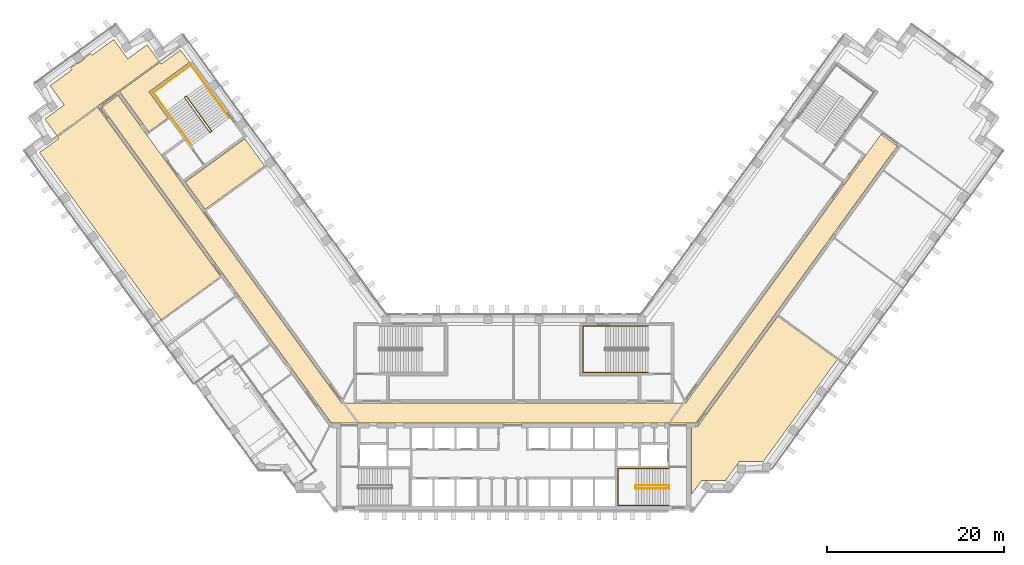
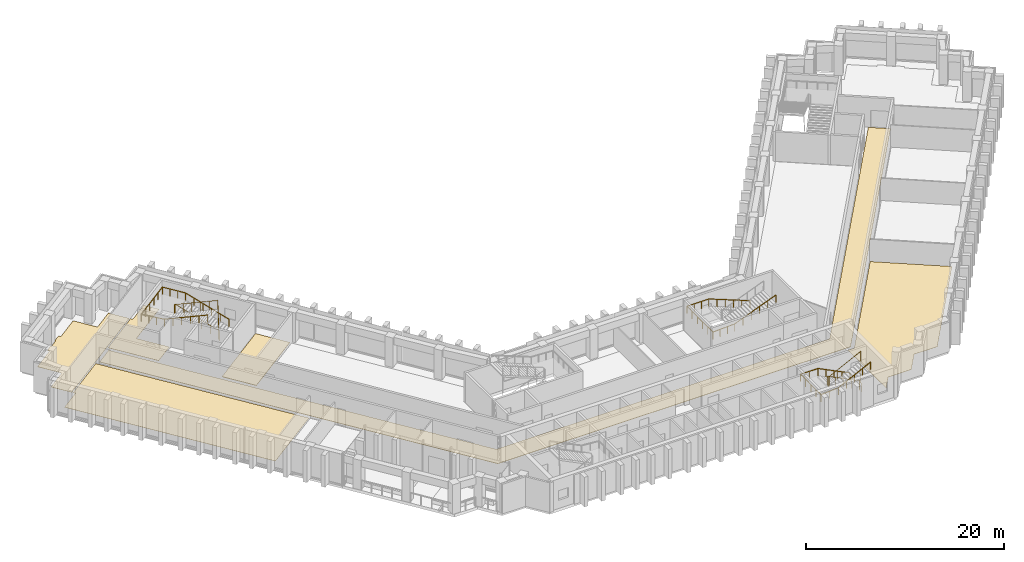
# One storey, part 15 of 16: 6 coverings, 5 railings.
"""IFC4 building model written with IfcOpenShell, lengths in metres."""

from ifc_helpers import new_model, si_unit, direction, frame, origin, origin_2d, place, context, subcontext, project, spatial, polyline, circle, outline, extrude, material, layer, layer_set, type_object, element, save


model = new_model("IFC4")

# Units and contexts
model_context = context("Model", 3, precision=1e-05, world=origin(), true_north=direction((0.0, 1.0)))
body_context = subcontext(model_context, "Body", "Model", "MODEL_VIEW")
ifc_project = project(units=[si_unit("LENGTHUNIT", "METRE"), si_unit("AREAUNIT", "SQUARE_METRE"), si_unit("VOLUMEUNIT", "CUBIC_METRE"), si_unit("PLANEANGLEUNIT", "RADIAN"), si_unit("MASSUNIT", "GRAM", prefix="KILO")], contexts=[model_context])

# Site, building, storey
site_placement = place(None, origin())
site = spatial("IfcSite", under=ifc_project, at=site_placement, CompositionType="ELEMENT")
building_placement = place(site_placement, origin())
building = spatial("IfcBuilding", under=site, at=building_placement, Name="Quipu Civic Tower", CompositionType="ELEMENT")
storey_placement = place(building_placement, frame((0.0, 0.0, 63.0)))
storey = spatial("IfcBuildingStorey", under=building, at=storey_placement, Name="L14", CompositionType="ELEMENT", Elevation=63.0)

# Coverings
ifc_material_1 = material(Name="Carpet tile on raised access floor")
ifc_layer_1 = layer(ifc_material_1, 0.02001953125)
ifc_layer_set_1 = layer_set([ifc_layer_1], Name="Carpet tile on raised access floor")
covering_type_1 = type_object("IfcCoveringType", Name="Carpet tile floor finish 20", PredefinedType="FLOORING", material=ifc_layer_set_1)
covering_1_placement = place(storey_placement, origin())
element("IfcCovering", 1, at=covering_1_placement, inside=storey, type_object=covering_type_1, Name="Carpet tile floor finish 20", PredefinedType="FLOORING", context=body_context, shape_type="SweptSolid", body=[
    extrude(outline(polyline([(-52.883056640625, 33.12890625), (-50.698974609375, 34.717041015625), (-52.284912109375, 36.90087890625), (-49.826904296875, 38.68603515625), (-49.97900390625, 38.89697265625), (-49.259033203125, 39.4208984375), (-49.236083984375, 39.388916015625), (-49.23291015625, 39.385009765625), (-49.22900390625, 39.382080078125), (-49.22607421875, 39.3779296875), (-49.220947265625, 39.3759765625), (-49.217041015625, 39.373046875), (-49.212890625, 39.37109375), (-49.2080078125, 39.3701171875), (-49.202880859375, 39.368896484375), (-49.197998046875, 39.367919921875), (-49.193115234375, 39.367919921875), (-49.18896484375, 39.368896484375), (-49.18408203125, 39.3701171875), (-49.178955078125, 39.37109375), (-49.174072265625, 39.373046875), (-49.169921875, 39.375), (-49.166015625, 39.3779296875), (-48.43798828125, 39.906982421875), (-48.43408203125, 39.909912109375), (-48.430908203125, 39.9130859375), (-48.427001953125, 39.9169921875), (-48.425048828125, 39.9208984375), (-48.422119140625, 39.926025390625), (-48.419921875, 39.929931640625), (-48.4189453125, 39.93505859375), (-48.41796875, 39.93994140625), (-48.4169921875, 39.944091796875), (-48.4169921875, 39.948974609375), (-48.41796875, 39.9541015625), (-48.4189453125, 39.958984375), (-48.419921875, 39.964111328125), (-48.422119140625, 39.968017578125), (-48.424072265625, 39.972900390625), (-48.427001953125, 39.97705078125), (-48.449951171875, 40.008056640625), (-47.72900390625, 40.531982421875), (-47.574951171875, 40.322021484375), (-45.116943359375, 42.10791015625), (-43.531982421875, 39.925048828125), (-41.346923828125, 41.510986328125), (-39.989013671875, 39.64208984375), (-51.52587890625, 31.260009765625), (-52.883056640625, 33.12890625)])), origin(), (0.0, 0.0, 1.0), 0.02001953125),
])
covering_2_placement = place(storey_placement, origin())
element("IfcCovering", 2, at=covering_2_placement, inside=storey, type_object=covering_type_1, Name="Carpet tile floor finish 20", PredefinedType="FLOORING", context=body_context, shape_type="SweptSolid", body=[
    extrude(outline(polyline([(-44.445068359375, 36.23193359375), (-39.906005859375, 39.530029296875), (-39.757080078125, 39.327880859375), (-37.573974609375, 40.9130859375), (-36.570068359375, 39.530029296875), (-41.139892578125, 36.208984375), (-38.998046875, 33.260009765625), (-41.15087890625, 31.697021484375), (-44.445068359375, 36.23193359375)])), origin(), (0.0, 0.0, 1.0), 0.02001953125),
])
covering_3_placement = place(storey_placement, origin())
element("IfcCovering", 3, at=covering_3_placement, inside=storey, type_object=covering_type_1, Name="Carpet tile floor finish 20", PredefinedType="FLOORING", context=body_context, shape_type="SweptSolid", body=[
    extrude(outline(polyline([(20.070068359375, -9.195068359375), (20.070068359375, -1.52001953125), (20.77490234375, -1.51904296875), (29.7958984375, 10.89794921875), (36.52001953125, 6.013916015625), (28.181884765625, -5.4609375), (25.48193359375, -5.4619140625), (25.2080078125, -5.840087890625), (25.205078125, -5.841064453125), (25.200927734375, -5.843017578125), (25.197021484375, -5.844970703125), (25.193115234375, -5.847900390625), (25.18896484375, -5.85205078125), (25.18603515625, -5.85498046875), (25.18310546875, -5.85888671875), (25.179931640625, -5.863037109375), (25.177978515625, -5.867919921875), (25.177001953125, -5.8720703125), (25.175048828125, -5.876953125), (25.175048828125, -5.882080078125), (25.174072265625, -5.885986328125), (23.89501953125, -7.64599609375), (21.721923828125, -7.64599609375), (21.721923828125, -7.64599609375), (21.718017578125, -7.64306640625), (21.712890625, -7.64111328125), (21.708984375, -7.638916015625), (21.7041015625, -7.637939453125), (21.698974609375, -7.636962890625), (21.694091796875, -7.635986328125), (21.68896484375, -7.636962890625), (21.68408203125, -7.636962890625), (21.679931640625, -7.637939453125), (21.675048828125, -7.639892578125), (21.669921875, -7.64111328125), (21.666015625, -7.64404296875), (21.6630859375, -7.64599609375), (21.196044921875, -7.64599609375), (20.070068359375, -9.195068359375)])), origin(), (0.0, 0.0, 1.0), 0.02001953125),
])
covering_4_placement = place(storey_placement, origin())
element("IfcCovering", 4, at=covering_4_placement, inside=storey, type_object=covering_type_1, Name="Carpet tile floor finish 20", PredefinedType="FLOORING", context=body_context, shape_type="SweptSolid", body=[
    extrude(outline(polyline([(-53.47998046875, 29.35791015625), (-51.298095703125, 30.943115234375), (-51.443115234375, 31.14599609375), (-46.904052734375, 34.444091796875), (-33.052978515625, 15.3798828125), (-39.777099609375, 10.49609375), (-53.47998046875, 29.35791015625)])), origin(), (0.0, 0.0, 1.0), 0.02001953125),
])
ifc_material_2 = material(Name="Sealed cement screed")
ifc_layer_2 = layer(ifc_material_2, 0.050048828125)
ifc_layer_set_2 = layer_set([ifc_layer_2], Name="Sealed cement screed")
covering_type_2 = type_object("IfcCoveringType", Name="Sealed screed floor finish 50", PredefinedType="FLOORING", material=ifc_layer_set_2)
covering_5_placement = place(storey_placement, origin())
element("IfcCovering", 5, at=covering_5_placement, inside=storey, type_object=covering_type_2, Name="Sealed screed floor finish 50", PredefinedType="FLOORING", context=body_context, shape_type="SweptSolid", body=[
    extrude(outline(polyline([(-37.0380859375, 26.0380859375), (-30.31494140625, 30.922119140625), (-28.0791015625, 27.843017578125), (-34.802001953125, 22.958984375), (-37.0380859375, 26.0380859375)])), origin(), (0.0, 0.0, 1.0), 0.050048828125),
])

# Railings
ifc_material_3 = material(Name="Stainless steel", Category="steel")
railing_type_1 = type_object("IfcRailingType", Name="Stair guard 1100", PredefinedType="GUARDRAIL", material=ifc_material_3)
railing_1_placement = place(storey_placement, frame((17.5, -8.199951171875, 0.15380859375)))
element("IfcRailing", 6, at=railing_1_placement, inside=storey, type_object=railing_type_1, Name="Stair 2 guard", PredefinedType="GUARDRAIL", context=body_context, shape_type="SweptSolid", body=[
    extrude(circle(Radius=0.02392578125, at=origin_2d()), frame((0.0, 0.0, 1.076171875), z_axis=(-0.895751851347, 0.0, 0.444554407028), x_axis=(0.0, -1.0, 0.0)), (0.0, 0.0, 1.0), 4.15283203125),
    extrude(circle(Radius=0.02392578125, at=origin_2d()), frame((-3.719970703125, 0.0, 2.92236328125), z_axis=(-0.707106781187, -0.707106781187, 0.0), x_axis=(0.707106781187, -0.707106781187, 0.0)), (0.0, 0.0, 1.0), 0.07080078125),
    extrude(circle(Radius=0.02392578125, at=origin_2d()), frame((-3.77001953125, -0.050048828125, 2.92236328125), z_axis=(0.0, -1.0, 0.0), x_axis=(1.0, 0.0, 0.0)), (0.0, 0.0, 1.0), 0.25),
    extrude(circle(Radius=0.02392578125, at=origin_2d()), frame((-3.77001953125, -0.300048828125, 2.92236328125), z_axis=(0.295599637079, -0.295599637079, 0.908428152975), x_axis=(0.707106781187, 0.707106781187, 0.0)), (0.0, 0.0, 1.0), 0.16943359375),
    extrude(circle(Radius=0.02392578125, at=origin_2d()), frame((-3.719970703125, -0.35009765625, 3.076171875), z_axis=(0.895751851347, 0.0, 0.444554407028), x_axis=(0.0, 1.0, 0.0)), (0.0, 0.0, 1.0), 4.15283203125),
    extrude(circle(Radius=0.02392578125, at=origin_2d()), frame((0.0, -0.35009765625, 4.92236328125), z_axis=(0.012476181752, 0.074796231092, -0.997120789425), x_axis=(-0.986372223864, 0.164529134168, 0.0)), (0.0, 0.0, 1.0), 4.011474609375),
    extrude(circle(Radius=0.02392578125, at=origin_2d()), frame((0.050048828125, -0.050048828125, 0.92236328125), z_axis=(0.0, -1.0, 0.0), x_axis=(1.0, 0.0, 0.0)), (0.0, 0.0, 1.0), 0.25),
    extrude(circle(Radius=0.02099609375, at=origin_2d()), origin(), (0.0, 0.0, 1.0), 1.052001953125),
    extrude(circle(Radius=0.02099609375, at=origin_2d()), frame((-0.929931640625, 0.0, 0.46142578125)), (0.0, 0.0, 1.0), 1.052001953125),
    extrude(circle(Radius=0.02099609375, at=origin_2d()), frame((-1.85986328125, 0.0, 0.923095703125)), (0.0, 0.0, 1.0), 1.052001953125),
    extrude(circle(Radius=0.02099609375, at=origin_2d()), frame((-2.7900390625, 0.0, 1.384765625)), (0.0, 0.0, 1.0), 1.052001953125),
    extrude(circle(Radius=0.02099609375, at=origin_2d()), frame((-3.719970703125, 0.0, 1.84619140625)), (0.0, 0.0, 1.0), 1.052001953125),
    extrude(circle(Radius=0.02099609375, at=origin_2d()), frame((-3.77001953125, -0.050048828125, 1.84619140625)), (0.0, 0.0, 1.0), 1.052001953125),
    extrude(circle(Radius=0.02099609375, at=origin_2d()), frame((-3.77001953125, -0.300048828125, 1.84619140625)), (0.0, 0.0, 1.0), 1.052001953125),
    extrude(circle(Radius=0.02099609375, at=origin_2d()), frame((-3.719970703125, -0.35009765625, 2.0)), (0.0, 0.0, 1.0), 1.052001953125),
    extrude(circle(Radius=0.02099609375, at=origin_2d()), frame((-2.7900390625, -0.35009765625, 2.46142578125)), (0.0, 0.0, 1.0), 1.052001953125),
    extrude(circle(Radius=0.02099609375, at=origin_2d()), frame((-1.85986328125, -0.35009765625, 2.923095703125)), (0.0, 0.0, 1.0), 1.052001953125),
    extrude(circle(Radius=0.02099609375, at=origin_2d()), frame((-0.929931640625, -0.35009765625, 3.384765625)), (0.0, 0.0, 1.0), 1.052001953125),
    extrude(circle(Radius=0.02099609375, at=origin_2d()), frame((0.0, -0.35009765625, 3.84619140625)), (0.0, 0.0, 1.0), 1.052001953125),
    extrude(circle(Radius=0.02099609375, at=origin_2d()), frame((0.012451171875, -0.275146484375, 2.84619140625)), (0.0, 0.0, 1.0), 1.052001953125),
    extrude(circle(Radius=0.02099609375, at=origin_2d()), frame((0.02490234375, -0.2001953125, 1.84619140625)), (0.0, 0.0, 1.0), 1.052001953125),
    extrude(circle(Radius=0.02099609375, at=origin_2d()), frame((0.03759765625, -0.125, 0.84619140625)), (0.0, 0.0, 1.0), 1.052001953125),
    extrude(circle(Radius=0.02099609375, at=origin_2d()), frame((0.050048828125, -0.050048828125, -0.15380859375)), (0.0, 0.0, 1.0), 1.052001953125),
    extrude(circle(Radius=0.02099609375, at=origin_2d()), frame((0.050048828125, -0.300048828125, -0.15380859375)), (0.0, 0.0, 1.0), 1.052001953125),
])
railing_2_placement = place(storey_placement, frame((-34.078857421875, 31.79736328125, 0.11767578125)))
element("IfcRailing", 7, at=railing_2_placement, inside=storey, type_object=railing_type_1, Name="Stair 6 guard", PredefinedType="GUARDRAIL", context=body_context, shape_type="SweptSolid", body=[
    extrude(circle(Radius=0.02392578125, at=origin_2d()), frame((0.0, 0.0, 1.076171875), z_axis=(-0.54720100349, 0.753182689643, 0.365084781664), x_axis=(-0.809026317077, -0.587772420479, 0.0)), (0.0, 0.0, 1.0), 5.15576171875),
    extrude(circle(Radius=0.02392578125, at=origin_2d()), frame((-2.8212890625, 3.88330078125, 2.95849609375), z_axis=(-0.987846838465, 0.155430446612, 0.0), x_axis=(-0.155430446612, -0.987846838465, 0.0)), (0.0, 0.0, 1.0), 0.07080078125),
    extrude(circle(Radius=0.02392578125, at=origin_2d()), frame((-2.89111328125, 3.894287109375, 2.95849609375), z_axis=(-0.809649071907, -0.586914287065, 0.0), x_axis=(0.586914287065, -0.809649071907, 0.0)), (0.0, 0.0, 1.0), 0.150146484375),
    extrude(circle(Radius=0.02392578125, at=origin_2d()), frame((-3.0126953125, 3.80615234375, 2.95849609375), z_axis=(-0.080033047627, -0.508654480474, 0.857242865693), x_axis=(0.987846838465, -0.155430446612, 0.0)), (0.0, 0.0, 1.0), 0.13720703125),
    extrude(circle(Radius=0.02392578125, at=origin_2d()), frame((-3.023681640625, 3.736328125, 3.076171875), z_axis=(0.54720100349, -0.753182689643, 0.365084781664), x_axis=(0.809026317077, 0.587772420479, 0.0)), (0.0, 0.0, 1.0), 5.15576171875),
    extrude(circle(Radius=0.02392578125, at=origin_2d()), frame((-0.202392578125, -0.14697265625, 4.95849609375), z_axis=(0.047788004556, 0.019261491632, -0.998671768681), x_axis=(-0.373837031195, 0.92749440651, 0.0)), (0.0, 0.0, 1.0), 4.00537109375),
    extrude(circle(Radius=0.02392578125, at=origin_2d()), frame((-0.010986328125, -0.06982421875, 0.95849609375), z_axis=(-0.809087927272, -0.587687609145, 0.0), x_axis=(0.587687609145, -0.809087927272, 0.0)), (0.0, 0.0, 1.0), 0.14990234375),
    extrude(circle(Radius=0.02099609375, at=origin_2d()), origin(), (0.0, 0.0, 1.0), 1.052001953125),
    extrude(circle(Radius=0.02099609375, at=origin_2d()), frame((-0.564208984375, 0.776611328125, 0.37646484375)), (0.0, 0.0, 1.0), 1.052001953125),
    extrude(circle(Radius=0.02099609375, at=origin_2d()), frame((-1.12841796875, 1.55322265625, 0.7529296875)), (0.0, 0.0, 1.0), 1.052001953125),
    extrude(circle(Radius=0.02099609375, at=origin_2d()), frame((-1.69287109375, 2.330078125, 1.12939453125)), (0.0, 0.0, 1.0), 1.052001953125),
    extrude(circle(Radius=0.02099609375, at=origin_2d()), frame((-2.257080078125, 3.106689453125, 1.505859375)), (0.0, 0.0, 1.0), 1.052001953125),
    extrude(circle(Radius=0.02099609375, at=origin_2d()), frame((-2.8212890625, 3.88330078125, 1.88232421875)), (0.0, 0.0, 1.0), 1.052001953125),
    extrude(circle(Radius=0.02099609375, at=origin_2d()), frame((-2.89111328125, 3.894287109375, 1.88232421875)), (0.0, 0.0, 1.0), 1.052001953125),
    extrude(circle(Radius=0.02099609375, at=origin_2d()), frame((-3.0126953125, 3.80615234375, 1.88232421875)), (0.0, 0.0, 1.0), 1.052001953125),
    extrude(circle(Radius=0.02099609375, at=origin_2d()), frame((-3.023681640625, 3.736328125, 2.0)), (0.0, 0.0, 1.0), 1.052001953125),
    extrude(circle(Radius=0.02099609375, at=origin_2d()), frame((-2.45947265625, 2.959716796875, 2.37646484375)), (0.0, 0.0, 1.0), 1.052001953125),
    extrude(circle(Radius=0.02099609375, at=origin_2d()), frame((-1.895263671875, 2.18310546875, 2.7529296875)), (0.0, 0.0, 1.0), 1.052001953125),
    extrude(circle(Radius=0.02099609375, at=origin_2d()), frame((-1.330810546875, 1.40625, 3.12939453125)), (0.0, 0.0, 1.0), 1.052001953125),
    extrude(circle(Radius=0.02099609375, at=origin_2d()), frame((-0.7666015625, 0.629638671875, 3.505859375)), (0.0, 0.0, 1.0), 1.052001953125),
    extrude(circle(Radius=0.02099609375, at=origin_2d()), frame((-0.202392578125, -0.14697265625, 3.88232421875)), (0.0, 0.0, 1.0), 1.052001953125),
    extrude(circle(Radius=0.02099609375, at=origin_2d()), frame((-0.154541015625, -0.127685546875, 2.88232421875)), (0.0, 0.0, 1.0), 1.052001953125),
    extrude(circle(Radius=0.02099609375, at=origin_2d()), frame((-0.106689453125, -0.1083984375, 1.88232421875)), (0.0, 0.0, 1.0), 1.052001953125),
    extrude(circle(Radius=0.02099609375, at=origin_2d()), frame((-0.058837890625, -0.089111328125, 0.88232421875)), (0.0, 0.0, 1.0), 1.052001953125),
    extrude(circle(Radius=0.02099609375, at=origin_2d()), frame((-0.010986328125, -0.06982421875, -0.11767578125)), (0.0, 0.0, 1.0), 1.052001953125),
    extrude(circle(Radius=0.02099609375, at=origin_2d()), frame((-0.13232421875, -0.157958984375, -0.11767578125)), (0.0, 0.0, 1.0), 1.052001953125),
])
ifc_material_4 = material(Name="Stainless steel", Category="steel")
railing_type_2 = type_object("IfcRailingType", Name="Stair handrail", PredefinedType="HANDRAIL", material=ifc_material_4)
railing_3_placement = place(storey_placement, frame((17.5, -6.300048828125, 0.15380859375)))
element("IfcRailing", 8, at=railing_3_placement, inside=storey, type_object=railing_type_2, Name="Stair 2 handrail", PredefinedType="HANDRAIL", context=body_context, shape_type="SweptSolid", body=[
    extrude(circle(Radius=0.02392578125, at=origin_2d()), frame((0.0, 0.0, 0.8759765625), z_axis=(-0.895751851347, 0.0, 0.444554407028), x_axis=(0.0, -1.0, 0.0)), (0.0, 0.0, 1.0), 4.15283203125),
    extrude(circle(Radius=0.02392578125, at=origin_2d()), frame((-3.719970703125, 0.0, 2.72216796875), z_axis=(-1.0, 0.0, 0.0), x_axis=(0.0, -1.0, 0.0)), (0.0, 0.0, 1.0), 2.030029296875),
    extrude(circle(Radius=0.02392578125, at=origin_2d()), frame((-5.75, 0.0, 2.72216796875), z_axis=(0.0, -1.0, 0.0), x_axis=(1.0, 0.0, 0.0)), (0.0, 0.0, 1.0), 4.14990234375),
    extrude(circle(Radius=0.02392578125, at=origin_2d()), frame((-5.75, -4.14990234375, 2.72216796875), z_axis=(0.997142003663, 0.0, 0.075550145798), x_axis=(0.0, 1.0, 0.0)), (0.0, 0.0, 1.0), 2.035888671875),
    extrude(circle(Radius=0.02392578125, at=origin_2d()), frame((-3.719970703125, -4.14990234375, 2.8759765625), z_axis=(0.895751851347, 0.0, 0.444554407028), x_axis=(0.0, 1.0, 0.0)), (0.0, 0.0, 1.0), 4.15283203125),
    extrude(circle(Radius=0.02099609375, at=origin_2d()), origin(), (0.0, 0.0, 1.0), 0.851806640625),
    extrude(circle(Radius=0.02099609375, at=origin_2d()), frame((-0.929931640625, 0.0, 0.46142578125)), (0.0, 0.0, 1.0), 0.851806640625),
    extrude(circle(Radius=0.02099609375, at=origin_2d()), frame((-1.85986328125, 0.0, 0.923095703125)), (0.0, 0.0, 1.0), 0.851806640625),
    extrude(circle(Radius=0.02099609375, at=origin_2d()), frame((-2.7900390625, 0.0, 1.384765625)), (0.0, 0.0, 1.0), 0.851806640625),
    extrude(circle(Radius=0.02099609375, at=origin_2d()), frame((-3.719970703125, 0.0, 1.84619140625)), (0.0, 0.0, 1.0), 0.851806640625),
    extrude(circle(Radius=0.02099609375, at=origin_2d()), frame((-4.73486328125, 0.0, 1.84619140625)), (0.0, 0.0, 1.0), 0.851806640625),
    extrude(circle(Radius=0.02099609375, at=origin_2d()), frame((-5.75, 0.0, 1.84619140625)), (0.0, 0.0, 1.0), 0.851806640625),
    extrude(circle(Radius=0.02099609375, at=origin_2d()), frame((-5.75, -1.03759765625, 1.84619140625)), (0.0, 0.0, 1.0), 0.851806640625),
    extrude(circle(Radius=0.02099609375, at=origin_2d()), frame((-5.75, -2.074951171875, 1.84619140625)), (0.0, 0.0, 1.0), 0.851806640625),
    extrude(circle(Radius=0.02099609375, at=origin_2d()), frame((-5.75, -3.1123046875, 1.84619140625)), (0.0, 0.0, 1.0), 0.851806640625),
    extrude(circle(Radius=0.02099609375, at=origin_2d()), frame((-5.75, -4.14990234375, 1.84619140625)), (0.0, 0.0, 1.0), 0.851806640625),
    extrude(circle(Radius=0.02099609375, at=origin_2d()), frame((-4.73486328125, -4.14990234375, 1.923095703125)), (0.0, 0.0, 1.0), 0.851806640625),
    extrude(circle(Radius=0.02099609375, at=origin_2d()), frame((-3.719970703125, -4.14990234375, 2.0)), (0.0, 0.0, 1.0), 0.851806640625),
    extrude(circle(Radius=0.02099609375, at=origin_2d()), frame((-2.7900390625, -4.14990234375, 2.46142578125)), (0.0, 0.0, 1.0), 0.851806640625),
    extrude(circle(Radius=0.02099609375, at=origin_2d()), frame((-1.85986328125, -4.14990234375, 2.923095703125)), (0.0, 0.0, 1.0), 0.851806640625),
    extrude(circle(Radius=0.02099609375, at=origin_2d()), frame((-0.929931640625, -4.14990234375, 3.384765625)), (0.0, 0.0, 1.0), 0.851806640625),
    extrude(circle(Radius=0.02099609375, at=origin_2d()), frame((0.0, -4.14990234375, 3.84619140625)), (0.0, 0.0, 1.0), 0.851806640625),
])
railing_4_placement = place(storey_placement, frame((15.14990234375, 9.800048828125, 0.11767578125)))
element("IfcRailing", 9, at=railing_4_placement, inside=storey, type_object=railing_type_2, Name="Stair 4 handrail", PredefinedType="HANDRAIL", context=body_context, shape_type="SweptSolid", body=[
    extrude(circle(Radius=0.02392578125, at=origin_2d()), frame((0.0, 0.0, 0.8759765625), z_axis=(-0.930970042603, 0.0, 0.365095576219), x_axis=(0.0, -1.0, 0.0)), (0.0, 0.0, 1.0), 5.15576171875),
    extrude(circle(Radius=0.02392578125, at=origin_2d()), frame((-4.7998046875, 0.0, 2.75830078125), z_axis=(-1.0, 0.0, 0.0), x_axis=(0.0, -1.0, 0.0)), (0.0, 0.0, 1.0), 2.550048828125),
    extrude(circle(Radius=0.02392578125, at=origin_2d()), frame((-7.349853515625, 0.0, 2.75830078125), z_axis=(0.0, -1.0, 0.0), x_axis=(1.0, 0.0, 0.0)), (0.0, 0.0, 1.0), 5.25),
    extrude(circle(Radius=0.02392578125, at=origin_2d()), frame((-7.349853515625, -5.25, 2.75830078125), z_axis=(0.998936948642, 0.0, 0.04609742549), x_axis=(0.0, 1.0, 0.0)), (0.0, 0.0, 1.0), 2.552734375),
    extrude(circle(Radius=0.02392578125, at=origin_2d()), frame((-4.7998046875, -5.25, 2.8759765625), z_axis=(0.930970042603, 0.0, 0.365095576219), x_axis=(0.0, 1.0, 0.0)), (0.0, 0.0, 1.0), 5.15576171875),
    extrude(circle(Radius=0.02099609375, at=origin_2d()), origin(), (0.0, 0.0, 1.0), 0.851806640625),
    extrude(circle(Radius=0.02099609375, at=origin_2d()), frame((-0.9599609375, 0.0, 0.37646484375)), (0.0, 0.0, 1.0), 0.851806640625),
    extrude(circle(Radius=0.02099609375, at=origin_2d()), frame((-1.919921875, 0.0, 0.7529296875)), (0.0, 0.0, 1.0), 0.851806640625),
    extrude(circle(Radius=0.02099609375, at=origin_2d()), frame((-2.8798828125, 0.0, 1.12939453125)), (0.0, 0.0, 1.0), 0.851806640625),
    extrude(circle(Radius=0.02099609375, at=origin_2d()), frame((-3.83984375, 0.0, 1.505859375)), (0.0, 0.0, 1.0), 0.851806640625),
    extrude(circle(Radius=0.02099609375, at=origin_2d()), frame((-4.7998046875, 0.0, 1.88232421875)), (0.0, 0.0, 1.0), 0.851806640625),
    extrude(circle(Radius=0.02099609375, at=origin_2d()), frame((-5.64990234375, 0.0, 1.88232421875)), (0.0, 0.0, 1.0), 0.851806640625),
    extrude(circle(Radius=0.02099609375, at=origin_2d()), frame((-6.499755859375, 0.0, 1.88232421875)), (0.0, 0.0, 1.0), 0.851806640625),
    extrude(circle(Radius=0.02099609375, at=origin_2d()), frame((-7.349853515625, 0.0, 1.88232421875)), (0.0, 0.0, 1.0), 0.851806640625),
    extrude(circle(Radius=0.02099609375, at=origin_2d()), frame((-7.349853515625, -1.050048828125, 1.88232421875)), (0.0, 0.0, 1.0), 0.851806640625),
    extrude(circle(Radius=0.02099609375, at=origin_2d()), frame((-7.349853515625, -2.10009765625, 1.88232421875)), (0.0, 0.0, 1.0), 0.851806640625),
    extrude(circle(Radius=0.02099609375, at=origin_2d()), frame((-7.349853515625, -3.14990234375, 1.88232421875)), (0.0, 0.0, 1.0), 0.851806640625),
    extrude(circle(Radius=0.02099609375, at=origin_2d()), frame((-7.349853515625, -4.199951171875, 1.88232421875)), (0.0, 0.0, 1.0), 0.851806640625),
    extrude(circle(Radius=0.02099609375, at=origin_2d()), frame((-7.349853515625, -5.25, 1.88232421875)), (0.0, 0.0, 1.0), 0.851806640625),
    extrude(circle(Radius=0.02099609375, at=origin_2d()), frame((-6.499755859375, -5.25, 1.921630859375)), (0.0, 0.0, 1.0), 0.851806640625),
    extrude(circle(Radius=0.02099609375, at=origin_2d()), frame((-5.64990234375, -5.25, 1.960693359375)), (0.0, 0.0, 1.0), 0.851806640625),
    extrude(circle(Radius=0.02099609375, at=origin_2d()), frame((-4.7998046875, -5.25, 2.0)), (0.0, 0.0, 1.0), 0.851806640625),
    extrude(circle(Radius=0.02099609375, at=origin_2d()), frame((-3.83984375, -5.25, 2.37646484375)), (0.0, 0.0, 1.0), 0.851806640625),
    extrude(circle(Radius=0.02099609375, at=origin_2d()), frame((-2.8798828125, -5.25, 2.7529296875)), (0.0, 0.0, 1.0), 0.851806640625),
    extrude(circle(Radius=0.02099609375, at=origin_2d()), frame((-1.919921875, -5.25, 3.12939453125)), (0.0, 0.0, 1.0), 0.851806640625),
    extrude(circle(Radius=0.02099609375, at=origin_2d()), frame((-0.9599609375, -5.25, 3.505859375)), (0.0, 0.0, 1.0), 0.851806640625),
    extrude(circle(Radius=0.02099609375, at=origin_2d()), frame((0.0, -5.25, 3.88232421875)), (0.0, 0.0, 1.0), 0.851806640625),
])
railing_5_placement = place(storey_placement, frame((-32.056396484375, 33.266845703125, 0.11767578125)))
element("IfcRailing", 10, at=railing_5_placement, inside=storey, type_object=railing_type_2, Name="Stair 6 handrail", PredefinedType="HANDRAIL", context=body_context, shape_type="SweptSolid", body=[
    extrude(circle(Radius=0.02392578125, at=origin_2d()), frame((0.0, 0.0, 0.8759765625), z_axis=(-0.54720100349, 0.753182689643, 0.365084781664), x_axis=(-0.809026317077, -0.587772420479, 0.0)), (0.0, 0.0, 1.0), 5.15576171875),
    extrude(circle(Radius=0.02392578125, at=origin_2d()), frame((-2.8212890625, 3.88330078125, 2.75830078125), z_axis=(-0.587767432704, 0.809029940764, 0.0), x_axis=(-0.809029940764, -0.587767432704, 0.0)), (0.0, 0.0, 1.0), 2.550048828125),
    extrude(circle(Radius=0.02392578125, at=origin_2d()), frame((-4.320068359375, 5.9462890625, 2.75830078125), z_axis=(-0.809009483706, -0.587795589702, 0.0), x_axis=(0.587795589702, -0.809009483706, 0.0)), (0.0, 0.0, 1.0), 5.25),
    extrude(circle(Radius=0.02392578125, at=origin_2d()), frame((-8.5673828125, 2.8603515625, 2.75830078125), z_axis=(0.587142558822, -0.808169835812, 0.046099155132), x_axis=(0.809029940764, 0.587767432704, 0.0)), (0.0, 0.0, 1.0), 2.552734375),
    extrude(circle(Radius=0.02392578125, at=origin_2d()), frame((-7.068603515625, 0.79736328125, 2.8759765625), z_axis=(0.54720100349, -0.753182689643, 0.365084781664), x_axis=(0.809026317077, 0.587772420479, 0.0)), (0.0, 0.0, 1.0), 5.15576171875),
    extrude(circle(Radius=0.02099609375, at=origin_2d()), origin(), (0.0, 0.0, 1.0), 0.851806640625),
    extrude(circle(Radius=0.02099609375, at=origin_2d()), frame((-0.564208984375, 0.776611328125, 0.37646484375)), (0.0, 0.0, 1.0), 0.851806640625),
    extrude(circle(Radius=0.02099609375, at=origin_2d()), frame((-1.12841796875, 1.55322265625, 0.7529296875)), (0.0, 0.0, 1.0), 0.851806640625),
    extrude(circle(Radius=0.02099609375, at=origin_2d()), frame((-1.69287109375, 2.330078125, 1.12939453125)), (0.0, 0.0, 1.0), 0.851806640625),
    extrude(circle(Radius=0.02099609375, at=origin_2d()), frame((-2.257080078125, 3.106689453125, 1.505859375)), (0.0, 0.0, 1.0), 0.851806640625),
    extrude(circle(Radius=0.02099609375, at=origin_2d()), frame((-2.8212890625, 3.88330078125, 1.88232421875)), (0.0, 0.0, 1.0), 0.851806640625),
    extrude(circle(Radius=0.02099609375, at=origin_2d()), frame((-3.32080078125, 4.571044921875, 1.88232421875)), (0.0, 0.0, 1.0), 0.851806640625),
    extrude(circle(Radius=0.02099609375, at=origin_2d()), frame((-3.820556640625, 5.258544921875, 1.88232421875)), (0.0, 0.0, 1.0), 0.851806640625),
    extrude(circle(Radius=0.02099609375, at=origin_2d()), frame((-4.320068359375, 5.9462890625, 1.88232421875)), (0.0, 0.0, 1.0), 0.851806640625),
    extrude(circle(Radius=0.02099609375, at=origin_2d()), frame((-5.16943359375, 5.3291015625, 1.88232421875)), (0.0, 0.0, 1.0), 0.851806640625),
    extrude(circle(Radius=0.02099609375, at=origin_2d()), frame((-6.01904296875, 4.7119140625, 1.88232421875)), (0.0, 0.0, 1.0), 0.851806640625),
    extrude(circle(Radius=0.02099609375, at=origin_2d()), frame((-6.868408203125, 4.0947265625, 1.88232421875)), (0.0, 0.0, 1.0), 0.851806640625),
    extrude(circle(Radius=0.02099609375, at=origin_2d()), frame((-7.718017578125, 3.4775390625, 1.88232421875)), (0.0, 0.0, 1.0), 0.851806640625),
    extrude(circle(Radius=0.02099609375, at=origin_2d()), frame((-8.5673828125, 2.8603515625, 1.88232421875)), (0.0, 0.0, 1.0), 0.851806640625),
    extrude(circle(Radius=0.02099609375, at=origin_2d()), frame((-8.06787109375, 2.172607421875, 1.921630859375)), (0.0, 0.0, 1.0), 0.851806640625),
    extrude(circle(Radius=0.02099609375, at=origin_2d()), frame((-7.568115234375, 1.485107421875, 1.960693359375)), (0.0, 0.0, 1.0), 0.851806640625),
    extrude(circle(Radius=0.02099609375, at=origin_2d()), frame((-7.068603515625, 0.79736328125, 2.0)), (0.0, 0.0, 1.0), 0.851806640625),
    extrude(circle(Radius=0.02099609375, at=origin_2d()), frame((-6.50439453125, 0.020751953125, 2.37646484375)), (0.0, 0.0, 1.0), 0.851806640625),
    extrude(circle(Radius=0.02099609375, at=origin_2d()), frame((-5.940185546875, -0.755859375, 2.7529296875)), (0.0, 0.0, 1.0), 0.851806640625),
    extrude(circle(Radius=0.02099609375, at=origin_2d()), frame((-5.375732421875, -1.53271484375, 3.12939453125)), (0.0, 0.0, 1.0), 0.851806640625),
    extrude(circle(Radius=0.02099609375, at=origin_2d()), frame((-4.8115234375, -2.309326171875, 3.505859375)), (0.0, 0.0, 1.0), 0.851806640625),
    extrude(circle(Radius=0.02099609375, at=origin_2d()), frame((-4.247314453125, -3.0859375, 3.88232421875)), (0.0, 0.0, 1.0), 0.851806640625),
])

# Covering
ifc_material_5 = material(Name="Terrazzo floor finish")
ifc_layer_3 = layer(ifc_material_5, 0.0400390625)
ifc_layer_set_3 = layer_set([ifc_layer_3], Name="Terrazzo floor finish")
covering_type_3 = type_object("IfcCoveringType", Name="Terrazzo floor finish 40", PredefinedType="FLOORING", material=ifc_layer_set_3)
covering_6_placement = place(storey_placement, origin())
element("IfcCovering", 11, at=covering_6_placement, inside=storey, type_object=covering_type_3, Name="Terrazzo floor finish 40", PredefinedType="FLOORING", context=body_context, shape_type="SweptSolid", body=[
    extrude(outline(polyline([(20.574951171875, -1.1298828125), (-20.574951171875, -1.1298828125), (-46.44091796875, 34.471923828125), (-44.613037109375, 35.800048828125), (-19.425048828125, 1.1298828125), (19.425048828125, 1.1298828125), (41.43896484375, 31.430908203125), (43.26708984375, 30.10302734375), (20.574951171875, -1.1298828125)])), origin(), (0.0, 0.0, 1.0), 0.0400390625),
])

save(model, "model.ifc")
